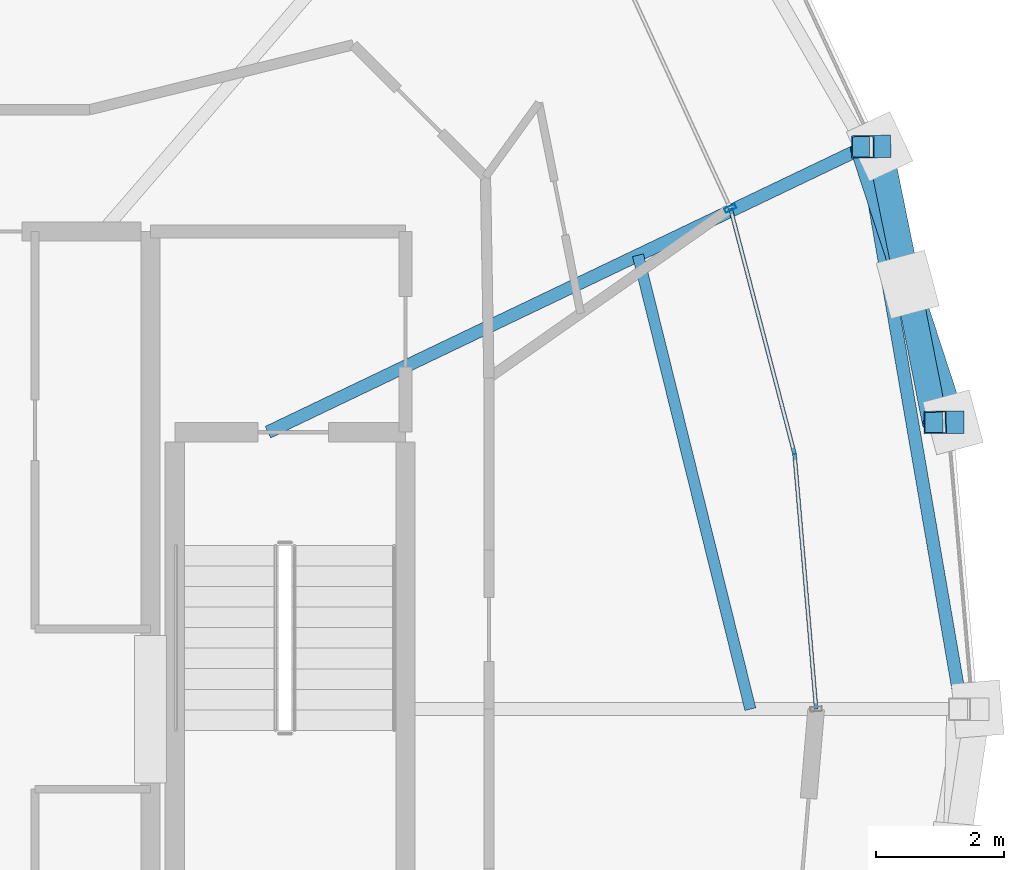
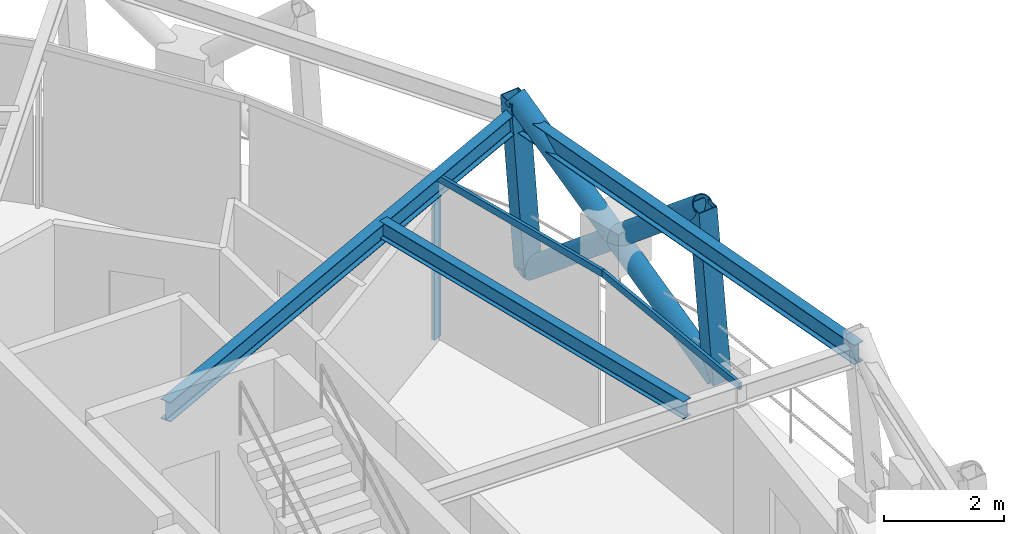
# One storey, part 6 of 17: 8 members, 3 beams, 1 element without a shape of its own.
"""IFC4 building model written with IfcOpenShell, lengths in metres."""

from ifc_helpers import new_model, si_unit, direction, frame, origin, origin_2d, place, context, subcontext, project, spatial, hollow_rectangle, hollow_circle, i_section, extrude, material, layer, layer_set, material_profile, profile_set, type_object, element, aggregate, save


model = new_model("IFC4")

# Units and contexts
model_context = context("Model", 3, precision=1e-05, world=origin(), true_north=direction((0.0, 1.0)))
body_context = subcontext(model_context, "Body", "Model", "MODEL_VIEW")
ifc_project = project(units=[si_unit("LENGTHUNIT", "METRE"), si_unit("AREAUNIT", "SQUARE_METRE"), si_unit("VOLUMEUNIT", "CUBIC_METRE"), si_unit("PLANEANGLEUNIT", "RADIAN"), si_unit("MASSUNIT", "GRAM", prefix="KILO")], contexts=[model_context])

# Site, building, storey
site_placement = place(None, origin())
site = spatial("IfcSite", under=ifc_project, at=site_placement, CompositionType="ELEMENT")
building_placement = place(site_placement, origin())
building = spatial("IfcBuilding", under=site, at=building_placement, Name="Veldorina Hangang Commons", CompositionType="ELEMENT")
storey_placement = place(building_placement, frame((0.0, 0.0, 286.800048828125)))
storey = spatial("IfcBuildingStorey", under=building, at=storey_placement, Name="L75", CompositionType="ELEMENT", Elevation=286.800048828125)

# Beams
ifc_material_1 = material(Name="Steel SM355-TMC", Category="steel")
ifc_material_profile_1 = material_profile(ifc_material_1, i_section(OverallWidth=0.199951171875, OverallDepth=0.39990234375, WebThickness=0.008056640625, FlangeThickness=0.012939453125, FilletRadius=0.012939453125, at=origin_2d()), Name="H-400x200x8x13")
ifc_profile_set_1 = profile_set([ifc_material_profile_1], Name="Steel SM355-TMC")
beam_type_1 = type_object("IfcBeamType", Name="BM-FG400", PredefinedType="BEAM", material=ifc_profile_set_1)
beam_1_placement = place(storey_placement, frame((41.032958984375, 28.320068359375, 3.159912109375), z_axis=(0.90214222726, 0.431438757872, 0.0), x_axis=(-0.431438757872, 0.90214222726, 0.0)))
element("IfcBeam", 1, at=beam_1_placement, inside=storey, type_object=beam_type_1, Name="L75 radial floor girder 02", PredefinedType="BEAM", context=body_context, shape_type="SweptSolid", body=[
    extrude(i_section(OverallWidth=0.199951171875, OverallDepth=0.39990234375, WebThickness=0.008056640625, FlangeThickness=0.012939453125, FilletRadius=0.012939453125, at=origin_2d()), origin(), (0.0, 0.0, 1.0), 10.321533203125),
])
ifc_material_profile_2 = material_profile(ifc_material_1, i_section(OverallWidth=0.175048828125, OverallDepth=0.35009765625, WebThickness=0.007080078125, FlangeThickness=0.010986328125, FilletRadius=0.012939453125, at=origin_2d()), Name="H-350x175x7x11")
ifc_profile_set_2 = profile_set([ifc_material_profile_2], Name="Steel SM355-TMC")
beam_type_2 = type_object("IfcBeamType", Name="BM-JST350", PredefinedType="JOIST", material=ifc_profile_set_2)
beam_2_placement = place(storey_placement, frame((48.55908203125, 24.0, 3.18505859375), z_axis=(-0.240298546468, 0.970699030887, 0.0), x_axis=(-0.970699030887, -0.240298546468, 0.0)))
element("IfcBeam", 2, at=beam_2_placement, inside=storey, type_object=beam_type_2, Name="L75 secondary floor joist 01", PredefinedType="JOIST", context=body_context, shape_type="SweptSolid", body=[
    extrude(i_section(OverallWidth=0.175048828125, OverallDepth=0.35009765625, WebThickness=0.007080078125, FlangeThickness=0.010986328125, FilletRadius=0.012939453125, at=origin_2d()), origin(), (0.0, 0.0, 1.0), 7.294677734375),
])
ifc_material_profile_3 = material_profile(ifc_material_1, i_section(OverallWidth=0.199951171875, OverallDepth=0.39990234375, WebThickness=0.008056640625, FlangeThickness=0.012939453125, FilletRadius=0.012939453125, at=origin_2d()), Name="H-400x200x8x13")
ifc_profile_set_3 = profile_set([ifc_material_profile_3], Name="Steel SM355-TMC")
beam_type_3 = type_object("IfcBeamType", Name="BM-RB400", PredefinedType="BEAM", material=ifc_profile_set_3)
beam_3_placement = place(storey_placement, frame((51.856201171875, 24.0, 3.159912109375), z_axis=(-0.169808652045, 0.985477052848, 0.0), x_axis=(-0.985477052848, -0.169808652045, 0.0)))
element("IfcBeam", 3, at=beam_3_placement, inside=storey, type_object=beam_type_3, Name="L75 perimeter hoop ring beam 00", PredefinedType="BEAM", context=body_context, shape_type="SweptSolid", body=[
    extrude(i_section(OverallWidth=0.199951171875, OverallDepth=0.39990234375, WebThickness=0.008056640625, FlangeThickness=0.012939453125, FilletRadius=0.012939453125, at=origin_2d()), origin(), (0.0, 0.0, 1.0), 8.902587890625),
])

# Curtain wall, members
ifc_material_2 = material(Name="Glass Low-E Selective", Category="glass")
ifc_layer = layer(ifc_material_2, 0.179931640625)
ifc_layer_set = layer_set([ifc_layer], Name="Glass Low-E Selective")
curtain_wall_type = type_object("IfcCurtainWallType", Name="CW-SYS-Z3", PredefinedType="NOTDEFINED", material=ifc_layer_set)
curtain_wall_placement = place(storey_placement, origin())
curtain_wall = element("IfcCurtainWall", 4, at=curtain_wall_placement, inside=storey, type_object=curtain_wall_type, Name="L75 unitised curtain wall CW-L75-R1", PredefinedType="NOTDEFINED")
ifc_material_3 = material(Name="Aluminium Anodized AA6063-T6", Category="aluminium")
ifc_material_profile_4 = material_profile(ifc_material_3, hollow_rectangle(XDim=0.070068359375, YDim=0.179931640625, WallThickness=0.00390625, at=origin_2d()), Name="ALU-RHS-180x70x4")
ifc_profile_set_4 = profile_set([ifc_material_profile_4], Name="Aluminium Anodized AA6063-T6")
member_type_1 = type_object("IfcMemberType", Name="CW-MUL-180", PredefinedType="MULLION", material=ifc_profile_set_4)
member_1_placement = place(storey_placement, frame((48.247314453125, 31.81298828125, 0.0), z_axis=(0.0, 0.0, 1.0), x_axis=(-0.41823173868, 0.908340361737, 0.0)))
member_1 = element("IfcMember", 5, at=member_1_placement, type_object=member_type_1, Name="CW-L75-R1 vertical mullion 2", PredefinedType="MULLION", context=body_context, shape_type="SweptSolid", body=[
    extrude(hollow_rectangle(XDim=0.070068359375, YDim=0.179931640625, WallThickness=0.00390625, at=origin_2d()), origin(), (0.0, 0.0, 1.0), 3.320068359375),
])
ifc_material_profile_5 = material_profile(ifc_material_3, hollow_rectangle(XDim=0.06005859375, YDim=0.139892578125, WallThickness=0.00341796875, at=origin_2d()), Name="ALU-RHS-140x60x3.5")
ifc_profile_set_5 = profile_set([ifc_material_profile_5], Name="Aluminium Anodized AA6063-T6")
member_type_2 = type_object("IfcMemberType", Name="CW-TRN-140", PredefinedType="USERDEFINED", material=ifc_profile_set_5)
member_2_placement = place(storey_placement, frame((49.5859375, 24.0, 3.280029296875), z_axis=(-0.084531469966, 0.996420809992, 0.0), x_axis=(-0.996420809992, -0.084531469966, 0.0)))
member_2 = element("IfcMember", 6, at=member_2_placement, type_object=member_type_2, Name="CW-L75-R1 facet 1 transom 1", ObjectType="TRANSOM", PredefinedType="USERDEFINED", context=body_context, shape_type="SweptSolid", body=[
    extrude(hollow_rectangle(XDim=0.06005859375, YDim=0.139892578125, WallThickness=0.00341796875, at=origin_2d()), origin(), (0.0, 0.0, 1.0), 3.997314453125),
])
member_3_placement = place(storey_placement, frame((49.248046875, 27.98291015625, 3.280029296875), z_axis=(-0.252795952569, 0.967519615493, 0.0), x_axis=(-0.967519615493, -0.252795952569, 0.0)))
member_3 = element("IfcMember", 7, at=member_3_placement, type_object=member_type_2, Name="CW-L75-R1 facet 2 transom 1", ObjectType="TRANSOM", PredefinedType="USERDEFINED", context=body_context, shape_type="SweptSolid", body=[
    extrude(hollow_rectangle(XDim=0.06005859375, YDim=0.139892578125, WallThickness=0.00341796875, at=origin_2d()), origin(), (0.0, 0.0, 1.0), 3.958740234375),
])
aggregate(curtain_wall, [member_1, member_2, member_3])

# Members
ifc_material_profile_6 = material_profile(ifc_material_1, hollow_circle(Radius=0.199951171875, WallThickness=0.02001953125, at=origin_2d()), Name="CHS-400x20")
ifc_profile_set_6 = profile_set([ifc_material_profile_6], Name="Steel SM355-TMC")
member_type_3 = type_object("IfcMemberType", Name="DG-CHS400", PredefinedType="BRACE", material=ifc_profile_set_6)
member_4_placement = place(storey_placement, frame((51.719482421875, 28.474609375, 0.0), z_axis=(-0.243408825266, 0.743573202985, 0.622776874639), x_axis=(-0.950375365773, -0.311105551431, 0.0)))
element("IfcMember", 8, at=member_4_placement, inside=storey, type_object=member_type_3, Name="L75 continuous perimeter diagrid brace 01", PredefinedType="BRACE", context=body_context, shape_type="SweptSolid", body=[
    extrude(hollow_circle(Radius=0.199951171875, WallThickness=0.02001953125, at=origin_2d()), origin(), (0.0, 0.0, 1.0), 5.7802734375),
])
member_5_placement = place(storey_placement, frame((50.575439453125, 32.77734375, 0.0), z_axis=(0.154870038407, -0.757591225612, 0.634090534608), x_axis=(0.979738234578, 0.200282280058, 0.0)))
element("IfcMember", 9, at=member_5_placement, inside=storey, type_object=member_type_3, Name="L75 split perimeter diagrid lower brace 02", PredefinedType="BRACE", context=body_context, shape_type="SweptSolid", body=[
    extrude(hollow_circle(Radius=0.199951171875, WallThickness=0.02001953125, at=origin_2d()), origin(), (0.0, 0.0, 1.0), 2.8408203125),
])
member_6_placement = place(storey_placement, frame((51.015380859375, 30.625244140625, 1.80126953125), z_axis=(0.149807639543, -0.758761496547, 0.633907455779), x_axis=(0.981061233752, 0.193697846219, 0.0)))
element("IfcMember", 10, at=member_6_placement, inside=storey, type_object=member_type_3, Name="L75 split perimeter diagrid upper brace 02", PredefinedType="BRACE", context=body_context, shape_type="SweptSolid", body=[
    extrude(hollow_circle(Radius=0.199951171875, WallThickness=0.02001953125, at=origin_2d()), origin(), (0.0, 0.0, 1.0), 2.83740234375),
])
ifc_material_profile_7 = material_profile(ifc_material_1, hollow_rectangle(XDim=0.35009765625, YDim=0.35009765625, WallThickness=0.01611328125, at=origin_2d()), Name="SHS-350x350x16")
ifc_profile_set_7 = profile_set([ifc_material_profile_7], Name="Steel SM355-TMC")
member_type_4 = type_object("IfcMemberType", Name="STR-SHS350", PredefinedType="STRUT", material=ifc_profile_set_7)
member_7_placement = place(storey_placement, frame((51.719482421875, 28.474609375, 0.0), z_axis=(-0.077285930126, -0.000608550631, 0.997008783648), x_axis=(0.007873771664, -0.999969001379, 0.0)))
element("IfcMember", 11, at=member_7_placement, inside=storey, type_object=member_type_4, Name="L75 perimeter ring node post 01", PredefinedType="STRUT", context=body_context, shape_type="SweptSolid", body=[
    extrude(hollow_rectangle(XDim=0.35009765625, YDim=0.35009765625, WallThickness=0.01611328125, at=origin_2d()), origin(), (0.0, 0.0, 1.0), 3.610595703125),
])
member_8_placement = place(storey_placement, frame((50.575439453125, 32.77734375, 0.0), z_axis=(-0.07284758298, -0.001285147703, 0.997342257226), x_axis=(0.017638852408, -0.999844423341, 0.0)))
element("IfcMember", 12, at=member_8_placement, inside=storey, type_object=member_type_4, Name="L75 perimeter ring node post 02", PredefinedType="STRUT", context=body_context, shape_type="SweptSolid", body=[
    extrude(hollow_rectangle(XDim=0.35009765625, YDim=0.35009765625, WallThickness=0.01611328125, at=origin_2d()), origin(), (0.0, 0.0, 1.0), 3.609375),
])

save(model, "model.ifc")
